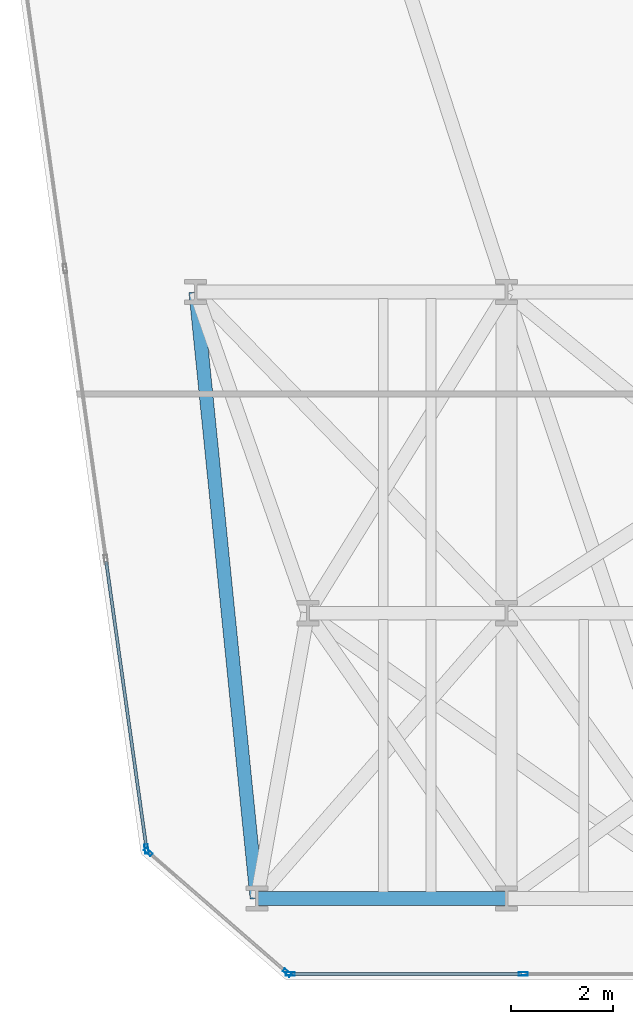
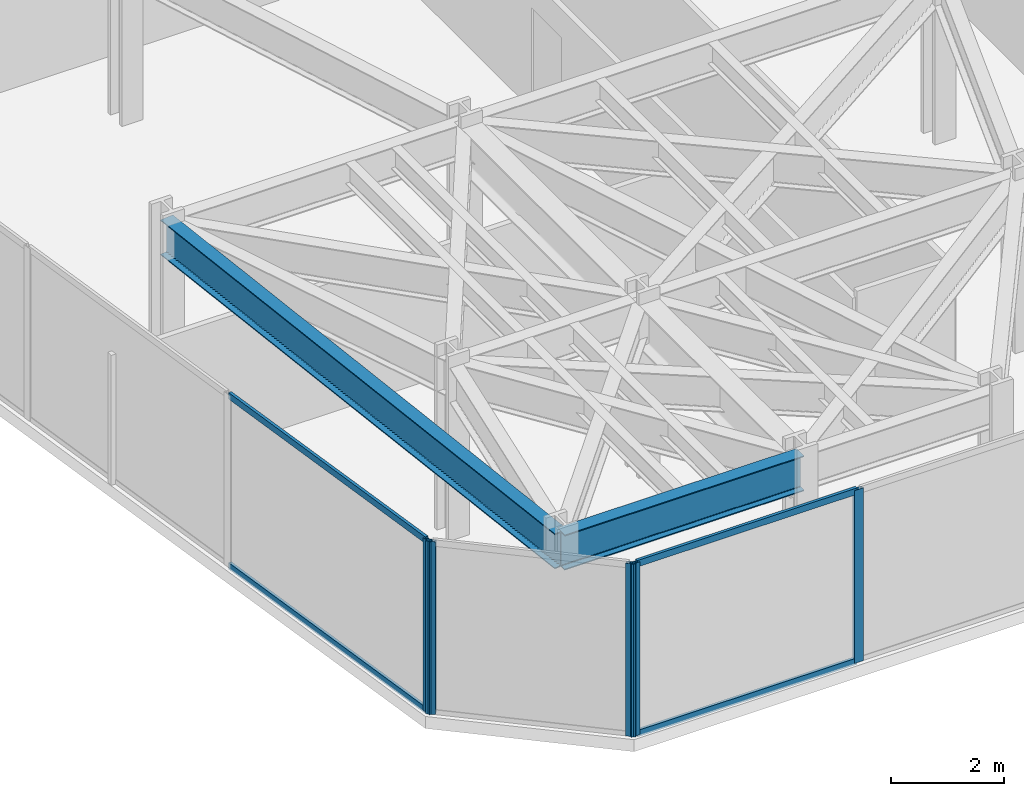
# One storey, part 2 of 24: 9 members, 2 beams, 3 elements without a shape of their own.
"""IFC4 building model written with IfcOpenShell, lengths in metres."""

from ifc_helpers import new_model, si_unit, direction, frame, origin, origin_2d, place, context, subcontext, project, spatial, hollow_rectangle, i_section, extrude, material, layer, layer_set, material_profile, profile_set, type_object, element, aggregate, save


model = new_model("IFC4")

# Units and contexts
model_context = context("Model", 3, precision=1e-05, world=origin(), true_north=direction((0.0, 1.0)))
body_context = subcontext(model_context, "Body", "Model", "MODEL_VIEW")
ifc_project = project(units=[si_unit("LENGTHUNIT", "METRE"), si_unit("AREAUNIT", "SQUARE_METRE"), si_unit("VOLUMEUNIT", "CUBIC_METRE"), si_unit("PLANEANGLEUNIT", "RADIAN"), si_unit("MASSUNIT", "GRAM", prefix="KILO")], contexts=[model_context])

# Site, building, storey
site_placement = place(None, origin())
site = spatial("IfcSite", under=ifc_project, at=site_placement, CompositionType="ELEMENT")
building_placement = place(site_placement, origin())
building = spatial("IfcBuilding", under=site, at=building_placement, Name="Kravanh Interchange Tower", CompositionType="ELEMENT")
storey_placement = place(building_placement, frame((0.0, 0.0, 69.5)))
storey = spatial("IfcBuildingStorey", under=building, at=storey_placement, Name="L16", CompositionType="ELEMENT", Elevation=69.5)

# Curtain wall, member
ifc_material_1 = material(Name="Anodised Bronze Aluminium", Category="aluminium")
ifc_layer = layer(ifc_material_1, 0.179931640625)
ifc_layer_set = layer_set([ifc_layer], Name="Unitised Curtain Wall System CW-Z1 Lower Office")
curtain_wall_type = type_object("IfcCurtainWallType", Name="Unitised Curtain Wall System CW-Z1 Lower Office", PredefinedType="NOTDEFINED", material=ifc_layer_set)
curtain_wall_1_placement = place(storey_placement, origin())
curtain_wall_1 = element("IfcCurtainWall", 1, at=curtain_wall_1_placement, inside=storey, type_object=curtain_wall_type, Name="L16 Unitised Curtain Wall CW-L16-01", PredefinedType="NOTDEFINED")
ifc_material_2 = material(Name="Anodised Bronze Aluminium", Category="aluminium")
ifc_material_profile_1 = material_profile(ifc_material_2, hollow_rectangle(XDim=0.070068359375, YDim=0.179931640625, WallThickness=0.00390625, at=origin_2d()), Name="ALU70X180X4")
ifc_profile_set_1 = profile_set([ifc_material_profile_1], Name="Anodised Bronze Aluminium")
member_type_1 = type_object("IfcMemberType", Name="Curtain Wall Mullion ALU70X180X4 Bronze", PredefinedType="MULLION", material=ifc_profile_set_1)
member_1_placement = place(storey_placement, frame((10.435546875, 3.571533203125, 0.0), z_axis=(0.0, 0.0, 1.0), x_axis=(-0.990267585682, -0.139176538065, 0.0)))
member_1 = element("IfcMember", 2, at=member_1_placement, type_object=member_type_1, Name="CW-Z1 mullion 1", PredefinedType="MULLION", context=body_context, shape_type="SweptSolid", body=[
    extrude(hollow_rectangle(XDim=0.070068359375, YDim=0.179931640625, WallThickness=0.00390625, at=origin_2d()), origin(), (0.0, 0.0, 1.0), 3.739990234375),
])

# Curtain wall, members
curtain_wall_2_placement = place(storey_placement, origin())
curtain_wall_2 = element("IfcCurtainWall", 3, at=curtain_wall_2_placement, inside=storey, type_object=curtain_wall_type, Name="L16 Unitised Curtain Wall CW-L16-06", PredefinedType="NOTDEFINED")
member_2_placement = place(storey_placement, frame((17.8271484375, 1.1201171875, 0.0), z_axis=(0.0, 0.0, 1.0), x_axis=(0.0, -1.0, 0.0)))
member_2 = element("IfcMember", 4, at=member_2_placement, type_object=member_type_1, Name="CW-Z1 mullion 2", PredefinedType="MULLION", context=body_context, shape_type="SweptSolid", body=[
    extrude(hollow_rectangle(XDim=0.070068359375, YDim=0.179931640625, WallThickness=0.00390625, at=origin_2d()), origin(), (0.0, 0.0, 1.0), 3.739990234375),
])
member_3_placement = place(storey_placement, frame((13.255615234375, 1.1201171875, 0.0), z_axis=(0.0, 0.0, 1.0), x_axis=(0.0, -1.0, 0.0)))
member_3 = element("IfcMember", 5, at=member_3_placement, type_object=member_type_1, Name="CW-Z1 mullion 3", PredefinedType="MULLION", context=body_context, shape_type="SweptSolid", body=[
    extrude(hollow_rectangle(XDim=0.070068359375, YDim=0.179931640625, WallThickness=0.00390625, at=origin_2d()), origin(), (0.0, 0.0, 1.0), 3.739990234375),
])

curtain_wall_3_placement = place(storey_placement, origin())
curtain_wall_3 = element("IfcCurtainWall", 6, at=curtain_wall_3_placement, inside=storey, type_object=curtain_wall_type, Name="L16 Unitised Curtain Wall CW-L16-07", PredefinedType="NOTDEFINED")
member_4_placement = place(storey_placement, frame((13.194091796875, 1.14306640625, 0.0), z_axis=(0.0, 0.0, 1.0), x_axis=(-0.656060422341, -0.754708368999, 0.0)))
member_4 = element("IfcMember", 7, at=member_4_placement, type_object=member_type_1, Name="CW-Z1 mullion 1", PredefinedType="MULLION", context=body_context, shape_type="SweptSolid", body=[
    extrude(hollow_rectangle(XDim=0.070068359375, YDim=0.179931640625, WallThickness=0.00390625, at=origin_2d()), origin(), (0.0, 0.0, 1.0), 3.739990234375),
])
member_5_placement = place(storey_placement, frame((10.466796875, 3.513916015625, 0.0), z_axis=(0.0, 0.0, 1.0), x_axis=(-0.656060422341, -0.754708368999, 0.0)))
member_5 = element("IfcMember", 8, at=member_5_placement, type_object=member_type_1, Name="CW-Z1 mullion 2", PredefinedType="MULLION", context=body_context, shape_type="SweptSolid", body=[
    extrude(hollow_rectangle(XDim=0.070068359375, YDim=0.179931640625, WallThickness=0.00390625, at=origin_2d()), origin(), (0.0, 0.0, 1.0), 3.739990234375),
])
aggregate(curtain_wall_3, [member_4, member_5])

# Member
ifc_material_3 = material(Name="Anodised Bronze Aluminium", Category="aluminium")
ifc_material_profile_2 = material_profile(ifc_material_3, hollow_rectangle(XDim=0.06005859375, YDim=0.139892578125, WallThickness=0.00390625, at=origin_2d()), Name="ALU60X140X4")
ifc_profile_set_2 = profile_set([ifc_material_profile_2], Name="Anodised Bronze Aluminium")
member_type_2 = type_object("IfcMemberType", Name="Curtain Wall Transom ALU60X140X4 Bronze", PredefinedType="USERDEFINED", material=ifc_profile_set_2)
member_6_placement = place(storey_placement, frame((10.4306640625, 3.606201171875, 0.030029296875), z_axis=(-0.139199330487, 0.990264382068, 0.0), x_axis=(-0.990264382068, -0.139199330487, 0.0)))
member_6 = element("IfcMember", 9, at=member_6_placement, type_object=member_type_2, Name="CW-Z1 transom 1.1", ObjectType="TRANSOM", PredefinedType="USERDEFINED", context=body_context, shape_type="SweptSolid", body=[
    extrude(hollow_rectangle(XDim=0.06005859375, YDim=0.139892578125, WallThickness=0.00390625, at=origin_2d()), origin(), (0.0, 0.0, 1.0), 5.66162109375),
])

member_7_placement = place(storey_placement, frame((10.4306640625, 3.606201171875, 3.7099609375), z_axis=(-0.139199330487, 0.990264382068, 0.0), x_axis=(-0.990264382068, -0.139199330487, 0.0)))
member_7 = element("IfcMember", 10, at=member_7_placement, type_object=member_type_2, Name="CW-Z1 transom 1.2", ObjectType="TRANSOM", PredefinedType="USERDEFINED", context=body_context, shape_type="SweptSolid", body=[
    extrude(hollow_rectangle(XDim=0.06005859375, YDim=0.139892578125, WallThickness=0.00390625, at=origin_2d()), origin(), (0.0, 0.0, 1.0), 5.66162109375),
])

aggregate(curtain_wall_1, [member_1, member_6, member_7])

member_8_placement = place(storey_placement, frame((17.792236328125, 1.1201171875, 0.030029296875), z_axis=(-1.0, 0.0, 0.0), x_axis=(0.0, -1.0, 0.0)))
member_8 = element("IfcMember", 11, at=member_8_placement, type_object=member_type_2, Name="CW-Z1 transom 2.1", ObjectType="TRANSOM", PredefinedType="USERDEFINED", context=body_context, shape_type="SweptSolid", body=[
    extrude(hollow_rectangle(XDim=0.06005859375, YDim=0.139892578125, WallThickness=0.00390625, at=origin_2d()), origin(), (0.0, 0.0, 1.0), 4.501708984375),
])

member_9_placement = place(storey_placement, frame((17.792236328125, 1.1201171875, 3.7099609375), z_axis=(-1.0, 0.0, 0.0), x_axis=(0.0, -1.0, 0.0)))
member_9 = element("IfcMember", 12, at=member_9_placement, type_object=member_type_2, Name="CW-Z1 transom 2.2", ObjectType="TRANSOM", PredefinedType="USERDEFINED", context=body_context, shape_type="SweptSolid", body=[
    extrude(hollow_rectangle(XDim=0.06005859375, YDim=0.139892578125, WallThickness=0.00390625, at=origin_2d()), origin(), (0.0, 0.0, 1.0), 4.501708984375),
])

aggregate(curtain_wall_2, [member_2, member_3, member_8, member_9])

# Beams
ifc_material_4 = material(Name="Structural Steel S355", Category="steel")
ifc_material_profile_3 = material_profile(ifc_material_4, i_section(OverallWidth=0.26708984375, OverallDepth=0.761962890625, WebThickness=0.014404296875, FlangeThickness=0.021484375, FilletRadius=0.02490234375, at=origin_2d()), Name="W30X116")
ifc_profile_set_3 = profile_set([ifc_material_profile_3], Name="Structural Steel S355")
beam_type = type_object("IfcBeamType", Name="Floor Spandrel W30X116 Structural Steel S355", PredefinedType="SPANDREL", material=ifc_profile_set_3)
beam_1_placement = place(storey_placement, frame((12.60009765625, 2.60009765625, 3.35888671875), z_axis=(1.0, 0.0, 0.0), x_axis=(0.0, 1.0, 0.0)))
element("IfcBeam", 13, at=beam_1_placement, inside=storey, type_object=beam_type, Name="L16 Perimeter Spandrel 38", PredefinedType="SPANDREL", context=body_context, shape_type="SweptSolid", body=[
    extrude(i_section(OverallWidth=0.26708984375, OverallDepth=0.761962890625, WebThickness=0.014404296875, FlangeThickness=0.021484375, FilletRadius=0.02490234375, at=origin_2d()), origin(), (0.0, 0.0, 1.0), 4.89990234375),
])
beam_2_placement = place(storey_placement, frame((12.60009765625, 2.60009765625, 3.35888671875), z_axis=(-0.100348483042, 0.994952351598, 0.0), x_axis=(-0.994952351598, -0.100348483042, 0.0)))
element("IfcBeam", 14, at=beam_2_placement, inside=storey, type_object=beam_type, Name="L16 Perimeter Spandrel 41", PredefinedType="SPANDREL", context=body_context, shape_type="SweptSolid", body=[
    extrude(i_section(OverallWidth=0.26708984375, OverallDepth=0.761962890625, WebThickness=0.014404296875, FlangeThickness=0.021484375, FilletRadius=0.02490234375, at=origin_2d()), origin(), (0.0, 0.0, 1.0), 11.960205078125),
])

save(model, "model.ifc")
